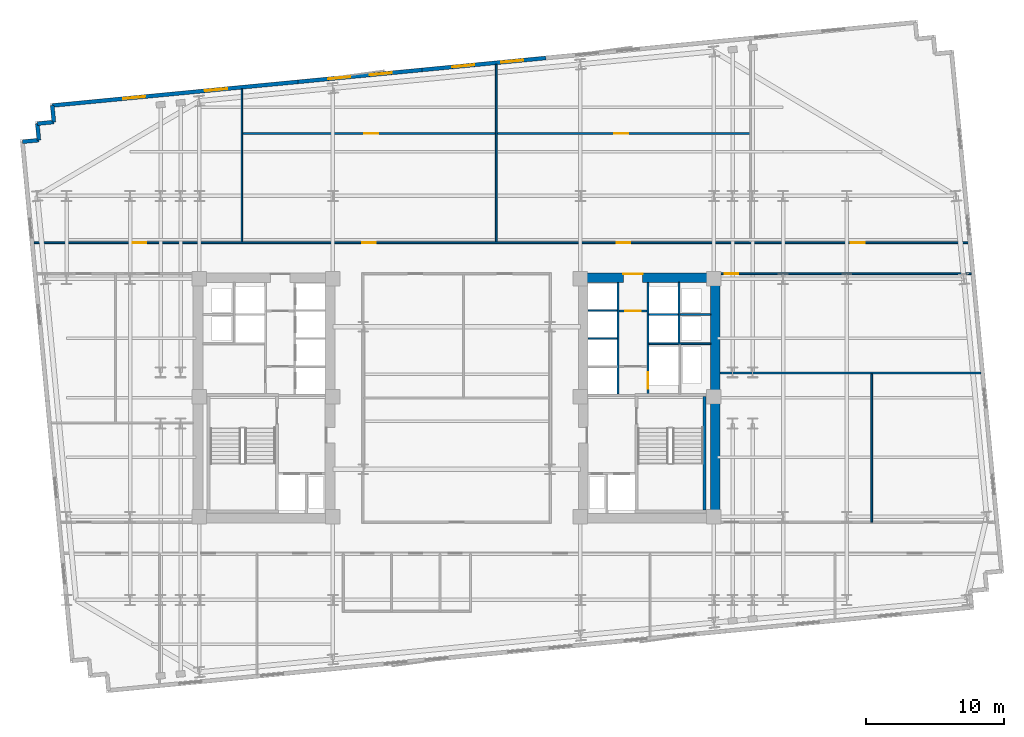
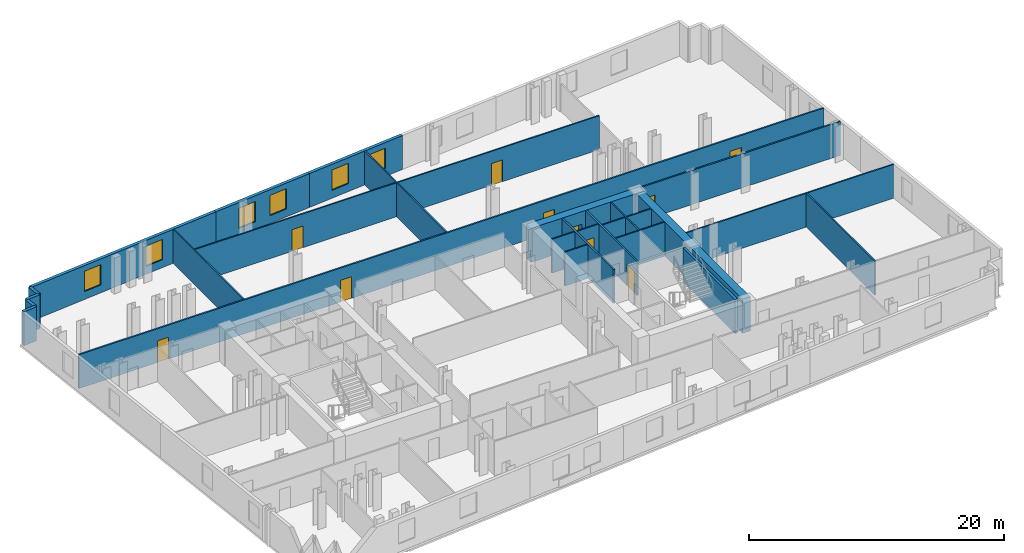
# One storey, part 7 of 10: 26 walls, 10 doors, 6 windows, 16 openings.
"""IFC4 building model written with IfcOpenShell, lengths in metres."""

from ifc_helpers import new_model, si_unit, direction, frame, frame_2d, origin, place, context, subcontext, project, spatial, rectangle, extrude, material, layer, layer_set, type_object, element, fill, save


model = new_model("IFC4")

# Units and contexts
model_context = context("Model", 3, precision=1e-05, world=origin(), true_north=direction((0.0, 1.0)))
body_context = subcontext(model_context, "Body", "Model", "MODEL_VIEW")
ifc_project = project(units=[si_unit("LENGTHUNIT", "METRE"), si_unit("AREAUNIT", "SQUARE_METRE"), si_unit("VOLUMEUNIT", "CUBIC_METRE"), si_unit("PLANEANGLEUNIT", "RADIAN"), si_unit("MASSUNIT", "GRAM", prefix="KILO")], contexts=[model_context])

# Site, building, storey
site_placement = place(None, origin())
site = spatial("IfcSite", under=ifc_project, at=site_placement, CompositionType="ELEMENT")
building_placement = place(site_placement, origin())
building = spatial("IfcBuilding", under=site, at=building_placement, Name="Velakula Bourse", CompositionType="ELEMENT")
storey_placement = place(building_placement, frame((0.0, 0.0, 94.89990234375)))
storey = spatial("IfcBuildingStorey", under=building, at=storey_placement, Name="L25", CompositionType="ELEMENT", Elevation=94.89990234375)

# Wall
ifc_material_1 = material(Name="Concrete M50 (fck 50 MPa)", Category="concrete")
ifc_layer_1 = layer(ifc_material_1, 0.2099609375, Name="Concrete M50 (fck 50 MPa)", Category="concrete")
ifc_layer_set_1 = layer_set([ifc_layer_1], Name="Concrete M50 (fck 50 MPa)")
wall_type_1 = type_object("IfcWallType", Name="WL-CORE-210", PredefinedType="SHEAR", material=ifc_layer_set_1)
wall_1_placement = place(storey_placement, frame((17.925048828125, -8.10009765625, 0.0), z_axis=(0.0, 0.0, 1.0), x_axis=(0.0, 1.0, 0.0)))
element("IfcWall", 1, at=wall_1_placement, inside=storey, type_object=wall_type_1, Name="L25 Core E Stairwell Shear Wall OUT", PredefinedType="SHEAR", context=body_context, shape_type="SweptSolid", body=[
    extrude(rectangle(XDim=8.2001953125, YDim=0.2099609375, at=frame_2d((4.10009765625, 0.0))), origin(), (0.0, 0.0, 1.0), 3.27001953125),
])

# Wall, opening, door
ifc_material_2 = material(Name="Concrete M70 (fck 70 MPa)", Category="concrete")
ifc_layer_2 = layer(ifc_material_2, 0.699951171875, Name="Concrete M70 (fck 70 MPa)", Category="concrete")
ifc_layer_set_2 = layer_set([ifc_layer_2], Name="Concrete M70 (fck 70 MPa)")
wall_type_2 = type_object("IfcWallType", Name="WL-CORE-700", PredefinedType="SHEAR", material=ifc_layer_set_2)
wall_2_placement = place(storey_placement, frame((8.800048828125, 8.699951171875, 0.0), z_axis=(0.0, 0.0, 1.0), x_axis=(1.0, 0.0, 0.0)))
wall_2 = element("IfcWall", 2, at=wall_2_placement, inside=storey, type_object=wall_type_2, Name="L25 Core E Shear Wall N", PredefinedType="SHEAR", context=body_context, shape_type="SweptSolid", body=[
    extrude(rectangle(XDim=10.25, YDim=0.699951171875, at=frame_2d((5.125, 0.0))), origin(), (0.0, 0.0, 1.0), 3.27001953125),
])
opening_1_placement = place(wall_2_placement, frame((3.25, 0.0, 0.0)))
opening_1 = element("IfcOpeningElement", 3, at=opening_1_placement, cuts=wall_2, Name="Opening D-LLE", PredefinedType="OPENING", context=body_context, shape_type="SweptSolid", body=[
    extrude(rectangle(XDim=1.39990234375, YDim=2.050048828125, at=frame_2d((0.699951171875, 1.02490234375))), frame((0.0, 0.35986328125, 0.0), z_axis=(0.0, -1.0, 0.0), x_axis=(1.0, 0.0, 0.0)), (0.0, 0.0, 1.0), 0.719970703125),
])
ifc_material_3 = material(Name="Fire-rated hardwood flush architectural door", Category="wood")
door_type_1 = type_object("IfcDoorType", Name="DR-DBL-FD60-1400", OperationType="DOUBLE_DOOR_SINGLE_SWING", PredefinedType="DOOR", material=ifc_material_3)
door_1_placement = place(opening_1_placement, origin())
door_1 = element("IfcDoor", 4, at=door_1_placement, inside=storey, type_object=door_type_1, Name="L25 Core E Lift Lobby Corridor Double Door", OperationType="DOUBLE_DOOR_SINGLE_SWING", OverallHeight=2.050048828125, OverallWidth=1.39990234375, PredefinedType="DOOR", context=body_context, shape_type="SweptSolid", body=[
    extrude(rectangle(XDim=1.39990234375, YDim=2.050048828125, at=frame_2d((0.699951171875, 1.02490234375))), frame((0.0, 0.294921875, 0.0), z_axis=(0.0, -1.0, 0.0), x_axis=(1.0, 0.0, 0.0)), (0.0, 0.0, 1.0), 0.050048828125),
])
fill(opening_1, door_1)

# Wall
wall_3_placement = place(storey_placement, frame((18.699951171875, -8.35009765625, 0.0), z_axis=(0.0, 0.0, 1.0), x_axis=(0.0, 1.0, 0.0)))
element("IfcWall", 5, at=wall_3_placement, inside=storey, type_object=wall_type_2, Name="L25 Core E Shear Wall E", PredefinedType="SHEAR", context=body_context, shape_type="SweptSolid", body=[
    extrude(rectangle(XDim=16.7001953125, YDim=0.699951171875, at=frame_2d((8.35009765625, 0.0))), origin(), (0.0, 0.0, 1.0), 3.27001953125),
])

# Wall, openings, windows
ifc_material_4 = material(Name="Red kilned clay facing brick masonry", Category="masonry")
ifc_layer_3 = layer(ifc_material_4, 0.280029296875, Name="Red kilned clay facing brick masonry", Category="masonry")
ifc_layer_set_3 = layer_set([ifc_layer_3], Name="Red kilned clay facing brick masonry")
wall_type_3 = type_object("IfcWallType", Name="WL-EXT-BRK-280", PredefinedType="STANDARD", material=ifc_layer_set_3)
wall_4_placement = place(storey_placement, frame((-29.2314453125, 21.138427734375, 0.0), z_axis=(0.0, 0.0, 1.0), x_axis=(0.995395780835, 0.095850088663, 0.0)))
wall_4 = element("IfcWall", 6, at=wall_4_placement, inside=storey, type_object=wall_type_3, Name="L25 N Brick Spandrel Wall B1", PredefinedType="STANDARD", context=body_context, shape_type="SweptSolid", body=[
    extrude(rectangle(XDim=17.83984375, YDim=0.280029296875, at=frame_2d((8.919921875, 0.0))), origin(), (0.0, 0.0, 1.0), 3.25),
])
opening_2_placement = place(wall_4_placement, frame((5.146728515625, 0.0, 0.760009765625)))
opening_2 = element("IfcOpeningElement", 7, at=opening_2_placement, cuts=wall_4, Name="Opening W-02", PredefinedType="OPENING", context=body_context, shape_type="SweptSolid", body=[
    extrude(rectangle(XDim=1.60009765625, YDim=1.949951171875, at=frame_2d((0.800048828125, 0.97509765625))), frame((0.0, 0.14990234375, 0.0), z_axis=(0.0, -1.0, 0.0), x_axis=(1.0, 0.0, 0.0)), (0.0, 0.0, 1.0), 0.300048828125),
])
opening_3_placement = place(wall_4_placement, frame((11.09326171875, 0.0, 0.760009765625)))
opening_3 = element("IfcOpeningElement", 8, at=opening_3_placement, cuts=wall_4, Name="Opening W-02", PredefinedType="OPENING", context=body_context, shape_type="SweptSolid", body=[
    extrude(rectangle(XDim=1.60009765625, YDim=1.949951171875, at=frame_2d((0.800048828125, 0.97509765625))), frame((0.0, 0.14990234375, 0.0), z_axis=(0.0, -1.0, 0.0), x_axis=(1.0, 0.0, 0.0)), (0.0, 0.0, 1.0), 0.300048828125),
])
ifc_material_5 = material(Name="Double-glazed solar-control Low-E glass", Category="glass")
window_type = type_object("IfcWindowType", Name="WIN-TWR-1600x2100", PartitioningType="SINGLE_PANEL", PredefinedType="WINDOW", material=ifc_material_5)
window_1_placement = place(opening_2_placement, origin())
window_1 = element("IfcWindow", 9, at=window_1_placement, inside=storey, type_object=window_type, Name="L25 Deep-Set Recessed Window 1", OverallHeight=1.949951171875, OverallWidth=1.60009765625, PartitioningType="SINGLE_PANEL", PredefinedType="WINDOW", context=body_context, shape_type="SweptSolid", body=[
    extrude(rectangle(XDim=1.60009765625, YDim=1.949951171875, at=frame_2d((0.800048828125, 0.97509765625))), frame((0.0, 0.030029296875, 0.0), z_axis=(0.0, -1.0, 0.0), x_axis=(1.0, 0.0, 0.0)), (0.0, 0.0, 1.0), 0.06005859375),
])
fill(opening_2, window_1)
window_2_placement = place(opening_3_placement, origin())
window_2 = element("IfcWindow", 10, at=window_2_placement, inside=storey, type_object=window_type, Name="L25 Deep-Set Recessed Window 2", OverallHeight=1.949951171875, OverallWidth=1.60009765625, PartitioningType="SINGLE_PANEL", PredefinedType="WINDOW", context=body_context, shape_type="SweptSolid", body=[
    extrude(rectangle(XDim=1.60009765625, YDim=1.949951171875, at=frame_2d((0.800048828125, 0.97509765625))), frame((0.0, 0.030029296875, 0.0), z_axis=(0.0, -1.0, 0.0), x_axis=(1.0, 0.0, 0.0)), (0.0, 0.0, 1.0), 0.06005859375),
])
fill(opening_3, window_2)

wall_5_placement = place(storey_placement, frame((-11.4736328125, 22.848388671875, 0.0), z_axis=(0.0, 0.0, 1.0), x_axis=(0.995396794462, 0.09583956164, 0.0)))
wall_5 = element("IfcWall", 11, at=wall_5_placement, inside=storey, type_object=wall_type_3, Name="L25 N Brick Spandrel Wall B2", PredefinedType="STANDARD", context=body_context, shape_type="SweptSolid", body=[
    extrude(rectangle(XDim=9.0, YDim=0.280029296875, at=frame_2d((4.5, 0.0))), origin(), (0.0, 0.0, 1.0), 3.25),
])
opening_4_placement = place(wall_5_placement, frame((2.199951171875, 0.0, 0.760009765625)))
opening_4 = element("IfcOpeningElement", 12, at=opening_4_placement, cuts=wall_5, Name="Opening W-02", PredefinedType="OPENING", context=body_context, shape_type="SweptSolid", body=[
    extrude(rectangle(XDim=1.60009765625, YDim=1.949951171875, at=frame_2d((0.800048828125, 0.97509765625))), frame((0.0, 0.14990234375, 0.0), z_axis=(0.0, -1.0, 0.0), x_axis=(1.0, 0.0, 0.0)), (0.0, 0.0, 1.0), 0.300048828125),
])
opening_5_placement = place(wall_5_placement, frame((5.199951171875, 0.0, 0.760009765625)))
opening_5 = element("IfcOpeningElement", 13, at=opening_5_placement, cuts=wall_5, Name="Opening W-02", PredefinedType="OPENING", context=body_context, shape_type="SweptSolid", body=[
    extrude(rectangle(XDim=1.60009765625, YDim=1.949951171875, at=frame_2d((0.800048828125, 0.97509765625))), frame((0.0, 0.14990234375, 0.0), z_axis=(0.0, -1.0, 0.0), x_axis=(1.0, 0.0, 0.0)), (0.0, 0.0, 1.0), 0.300048828125),
])
window_3_placement = place(opening_4_placement, origin())
window_3 = element("IfcWindow", 14, at=window_3_placement, inside=storey, type_object=window_type, Name="L25 Deep-Set Recessed Window 1", OverallHeight=1.949951171875, OverallWidth=1.60009765625, PartitioningType="SINGLE_PANEL", PredefinedType="WINDOW", context=body_context, shape_type="SweptSolid", body=[
    extrude(rectangle(XDim=1.60009765625, YDim=1.949951171875, at=frame_2d((0.800048828125, 0.97509765625))), frame((0.0, 0.030029296875, 0.0), z_axis=(0.0, -1.0, 0.0), x_axis=(1.0, 0.0, 0.0)), (0.0, 0.0, 1.0), 0.06005859375),
])
fill(opening_4, window_3)
window_4_placement = place(opening_5_placement, origin())
window_4 = element("IfcWindow", 15, at=window_4_placement, inside=storey, type_object=window_type, Name="L25 Deep-Set Recessed Window 2", OverallHeight=1.949951171875, OverallWidth=1.60009765625, PartitioningType="SINGLE_PANEL", PredefinedType="WINDOW", context=body_context, shape_type="SweptSolid", body=[
    extrude(rectangle(XDim=1.60009765625, YDim=1.949951171875, at=frame_2d((0.800048828125, 0.97509765625))), frame((0.0, 0.030029296875, 0.0), z_axis=(0.0, -1.0, 0.0), x_axis=(1.0, 0.0, 0.0)), (0.0, 0.0, 1.0), 0.06005859375),
])
fill(opening_5, window_4)

wall_6_placement = place(storey_placement, frame((-2.51513671875, 23.7109375, 0.0), z_axis=(0.0, 0.0, 1.0), x_axis=(0.995397043619, 0.095836973841, 0.0)))
wall_6 = element("IfcWall", 16, at=wall_6_placement, inside=storey, type_object=wall_type_3, Name="L25 N Brick Spandrel Wall B3", PredefinedType="STANDARD", context=body_context, shape_type="SweptSolid", body=[
    extrude(rectangle(XDim=9.000244140625, YDim=0.280029296875, at=frame_2d((4.5, 0.0))), origin(), (0.0, 0.0, 1.0), 3.25),
])
opening_6_placement = place(wall_6_placement, frame((2.199951171875, 0.0, 0.760009765625)))
opening_6 = element("IfcOpeningElement", 17, at=opening_6_placement, cuts=wall_6, Name="Opening W-02", PredefinedType="OPENING", context=body_context, shape_type="SweptSolid", body=[
    extrude(rectangle(XDim=1.60009765625, YDim=1.949951171875, at=frame_2d((0.800048828125, 0.97509765625))), frame((0.0, 0.14990234375, 0.0), z_axis=(0.0, -1.0, 0.0), x_axis=(1.0, 0.0, 0.0)), (0.0, 0.0, 1.0), 0.300048828125),
])
opening_7_placement = place(wall_6_placement, frame((5.75, 0.0, 0.760009765625)))
opening_7 = element("IfcOpeningElement", 18, at=opening_7_placement, cuts=wall_6, Name="Opening W-02", PredefinedType="OPENING", context=body_context, shape_type="SweptSolid", body=[
    extrude(rectangle(XDim=1.60009765625, YDim=1.949951171875, at=frame_2d((0.800048828125, 0.97509765625))), frame((0.0, 0.14990234375, 0.0), z_axis=(0.0, -1.0, 0.0), x_axis=(1.0, 0.0, 0.0)), (0.0, 0.0, 1.0), 0.300048828125),
])
window_5_placement = place(opening_6_placement, origin())
window_5 = element("IfcWindow", 19, at=window_5_placement, inside=storey, type_object=window_type, Name="L25 Deep-Set Recessed Window 1", OverallHeight=1.949951171875, OverallWidth=1.60009765625, PartitioningType="SINGLE_PANEL", PredefinedType="WINDOW", context=body_context, shape_type="SweptSolid", body=[
    extrude(rectangle(XDim=1.60009765625, YDim=1.949951171875, at=frame_2d((0.800048828125, 0.97509765625))), frame((0.0, 0.030029296875, 0.0), z_axis=(0.0, -1.0, 0.0), x_axis=(1.0, 0.0, 0.0)), (0.0, 0.0, 1.0), 0.06005859375),
])
fill(opening_6, window_5)
window_6_placement = place(opening_7_placement, origin())
window_6 = element("IfcWindow", 20, at=window_6_placement, inside=storey, type_object=window_type, Name="L25 Deep-Set Recessed Window 2", OverallHeight=1.949951171875, OverallWidth=1.60009765625, PartitioningType="SINGLE_PANEL", PredefinedType="WINDOW", context=body_context, shape_type="SweptSolid", body=[
    extrude(rectangle(XDim=1.60009765625, YDim=1.949951171875, at=frame_2d((0.800048828125, 0.97509765625))), frame((0.0, 0.030029296875, 0.0), z_axis=(0.0, -1.0, 0.0), x_axis=(1.0, 0.0, 0.0)), (0.0, 0.0, 1.0), 0.06005859375),
])
fill(opening_7, window_6)

# Walls
for number, where, z_axis, x_axis, name in (
    (21, (-29.2314453125, 21.138427734375, 0.0), (0.0, 0.0, 1.0), (0.095817067274, -0.995398960025, 0.0), "L25 Serrated Corner Brick Wall NW-1"),
    (22, (-29.116455078125, 19.94384765625, 0.0), (0.0, 0.0, 1.0), (-0.995398960025, -0.095817067274, 0.0), "L25 Serrated Corner Brick Wall NW-2"),
):
    element("IfcWall", number, at=place(storey_placement, frame(where, z_axis=z_axis, x_axis=x_axis)), inside=storey, type_object=wall_type_3, Name=name, PredefinedType="STANDARD", context=body_context, shape_type="SweptSolid", body=[
        extrude(rectangle(XDim=1.2001953125, YDim=0.280029296875, at=frame_2d((0.60009765625, 0.0))), origin(), (0.0, 0.0, 1.0), 3.25),
    ])
for number, where, z_axis, x_axis, name in (
    (23, (-30.31103515625, 19.828857421875, 0.0), (0.0, 0.0, 1.0), (0.095836473879, -0.995397091755, 0.0), "L25 Serrated Corner Brick Wall NW-3"),
    (24, (-30.196044921875, 18.634521484375, 0.0), (0.0, 0.0, 1.0), (-0.995397091755, -0.095836473879, 0.0), "L25 Serrated Corner Brick Wall NW-4"),
):
    element("IfcWall", number, at=place(storey_placement, frame(where, z_axis=z_axis, x_axis=x_axis)), inside=storey, type_object=wall_type_3, Name=name, PredefinedType="STANDARD", context=body_context, shape_type="SweptSolid", body=[
        extrude(rectangle(XDim=1.199951171875, YDim=0.280029296875, at=frame_2d((0.60009765625, 0.0))), origin(), (0.0, 0.0, 1.0), 3.25),
    ])

# Wall, opening, door
ifc_material_6 = material(Name="Fire-rated double-layer gypsum drywall partition", Category="gypsum")
ifc_layer_4 = layer(ifc_material_6, 0.1201171875, Name="Fire-rated double-layer gypsum drywall partition", Category="gypsum")
ifc_layer_set_4 = layer_set([ifc_layer_4], Name="Fire-rated double-layer gypsum drywall partition")
wall_type_4 = type_object("IfcWallType", Name="WL-PART-120", PredefinedType="STANDARD", material=ifc_layer_set_4)
wall_7_placement = place(storey_placement, frame((11.75, 6.280029296875, 0.0), z_axis=(0.0, 0.0, 1.0), x_axis=(1.0, 0.0, 0.0)))
wall_7 = element("IfcWall", 25, at=wall_7_placement, inside=storey, type_object=wall_type_4, Name="L25 Interior Partition WL-CRE-L25-LL-K3B", PredefinedType="STANDARD", context=body_context, shape_type="SweptSolid", body=[
    extrude(rectangle(XDim=2.0, YDim=0.1201171875, at=frame_2d((1.0, 0.0))), origin(), (0.0, 0.0, 1.0), 3.25),
])
opening_8_placement = place(wall_7_placement, frame((0.449951171875, 0.0, 0.0)))
opening_8 = element("IfcOpeningElement", 26, at=opening_8_placement, cuts=wall_7, Name="Opening D-LK3", PredefinedType="OPENING", context=body_context, shape_type="SweptSolid", body=[
    extrude(rectangle(XDim=1.10009765625, YDim=2.10009765625, at=frame_2d((0.550048828125, 1.050048828125))), frame((0.0, 0.070068359375, 0.0), z_axis=(0.0, -1.0, 0.0), x_axis=(1.0, 0.0, 0.0)), (0.0, 0.0, 1.0), 0.14013671875),
])
door_type_2 = type_object("IfcDoorType", Name="DR-FD60-1100x2100", OperationType="NOTDEFINED", PredefinedType="DOOR", material=ifc_material_3)
door_2_placement = place(opening_8_placement, origin())
door_2 = element("IfcDoor", 27, at=door_2_placement, inside=storey, type_object=door_type_2, Name="L25 Core E Lift Lobby Vestibule Door B", OperationType="SINGLE_SWING_RIGHT", OverallHeight=2.10009765625, OverallWidth=1.10009765625, PredefinedType="DOOR", context=body_context, shape_type="SweptSolid", body=[
    extrude(rectangle(XDim=1.10009765625, YDim=2.10009765625, at=frame_2d((0.550048828125, 1.050048828125))), frame((0.0, 0.02490234375, 0.0), z_axis=(0.0, -1.0, 0.0), x_axis=(1.0, 0.0, 0.0)), (0.0, 0.0, 1.0), 0.050048828125),
])
fill(opening_8, door_2)

# Walls
for number, where, z_axis, x_axis, name in (
    (28, (9.5, 4.284912109375, 0.0), (0.0, 0.0, 1.0), (1.0, 0.0, 0.0), "L25 Interior Partition WL-CRE-L25-BDIV-1"),
    (29, (9.5, 6.31494140625, 0.0), (0.0, 0.0, 1.0), (1.0, 0.0, 0.0), "L25 Interior Partition WL-CRE-L25-BDIV-2"),
):
    element("IfcWall", number, at=place(storey_placement, frame(where, z_axis=z_axis, x_axis=x_axis)), inside=storey, type_object=wall_type_4, Name=name, PredefinedType="STANDARD", context=body_context, shape_type="SweptSolid", body=[
        extrude(rectangle(XDim=2.10009765625, YDim=0.110107421875, at=frame_2d((1.050048828125, 0.0))), origin(), (0.0, 0.0, 1.0), 3.25),
    ])
wall_8_placement = place(storey_placement, frame((13.89990234375, 3.919921875, 0.0), z_axis=(0.0, 0.0, 1.0), x_axis=(1.0, 0.0, 0.0)))
element("IfcWall", 30, at=wall_8_placement, inside=storey, type_object=wall_type_4, Name="L25 Interior Partition WL-CRE-L25-HI-S", PredefinedType="STANDARD", context=body_context, shape_type="SweptSolid", body=[
    extrude(rectangle(XDim=4.4501953125, YDim=0.1201171875, at=frame_2d((2.22509765625, 0.0))), origin(), (0.0, 0.0, 1.0), 3.25),
])
wall_9_placement = place(storey_placement, frame((16.14990234375, 6.030029296875, 0.0), z_axis=(0.0, 0.0, 1.0), x_axis=(1.0, 0.0, 0.0)))
element("IfcWall", 31, at=wall_9_placement, inside=storey, type_object=wall_type_4, Name="L25 Interior Partition WL-CRE-L25-RIS-MID", PredefinedType="STANDARD", context=body_context, shape_type="SweptSolid", body=[
    extrude(rectangle(XDim=2.2001953125, YDim=0.1201171875, at=frame_2d((1.10009765625, 0.0))), origin(), (0.0, 0.0, 1.0), 3.25),
])
wall_10_placement = place(storey_placement, frame((16.074951171875, 3.97998046875, 0.0), z_axis=(0.0, 0.0, 1.0), x_axis=(0.0, 1.0, 0.0)))
element("IfcWall", 32, at=wall_10_placement, inside=storey, type_object=wall_type_4, Name="L25 Interior Partition WL-CRE-L25-RIS-F", PredefinedType="STANDARD", context=body_context, shape_type="SweptSolid", body=[
    extrude(rectangle(XDim=4.3701171875, YDim=0.1201171875, at=frame_2d((2.18505859375, 0.0))), origin(), (0.0, 0.0, 1.0), 3.25),
])
wall_11_placement = place(storey_placement, frame((13.89990234375, 6.030029296875, 0.0), z_axis=(0.0, 0.0, 1.0), x_axis=(1.0, 0.0, 0.0)))
element("IfcWall", 33, at=wall_11_placement, inside=storey, type_object=wall_type_4, Name="L25 Interior Partition WL-CRE-L25-HI-DIV", PredefinedType="STANDARD", context=body_context, shape_type="SweptSolid", body=[
    extrude(rectangle(XDim=2.10009765625, YDim=0.1201171875, at=frame_2d((1.050048828125, 0.0))), origin(), (0.0, 0.0, 1.0), 3.25),
])
wall_12_placement = place(storey_placement, frame((-15.528076171875, 11.2900390625, 0.0), z_axis=(0.0, 0.0, 1.0), x_axis=(0.0, 1.0, 0.0)))
element("IfcWall", 34, at=wall_12_placement, inside=storey, type_object=wall_type_4, Name="L25 Interior Partition WL-INT-L25-N-D1", PredefinedType="STANDARD", context=body_context, shape_type="SweptSolid", body=[
    extrude(rectangle(XDim=11.04736328125, YDim=0.1201171875, at=frame_2d((5.523681640625, 0.0))), origin(), (0.0, 0.0, 1.0), 3.25),
])
wall_13_placement = place(storey_placement, frame((2.862060546875, 11.2900390625, 0.0), z_axis=(0.0, 0.0, 1.0), x_axis=(0.0, 1.0, 0.0)))
element("IfcWall", 35, at=wall_13_placement, inside=storey, type_object=wall_type_4, Name="L25 Interior Partition WL-INT-L25-N-D2", PredefinedType="STANDARD", context=body_context, shape_type="SweptSolid", body=[
    extrude(rectangle(XDim=12.818115234375, YDim=0.1201171875, at=frame_2d((6.4091796875, 0.0))), origin(), (0.0, 0.0, 1.0), 3.25),
])

# Wall, openings, doors
wall_14_placement = place(storey_placement, frame((-15.468017578125, 19.1201171875, 0.0), z_axis=(0.0, 0.0, 1.0), x_axis=(1.0, 0.0, 0.0)))
wall_14 = element("IfcWall", 36, at=wall_14_placement, inside=storey, type_object=wall_type_4, Name="L25 Interior Partition WL-INT-L25-N-MID", PredefinedType="STANDARD", context=body_context, shape_type="SweptSolid", body=[
    extrude(rectangle(XDim=36.658935546875, YDim=0.1201171875, at=frame_2d((18.32958984375, 0.0))), origin(), (0.0, 0.0, 1.0), 3.25),
])
opening_9_placement = place(wall_14_placement, frame((8.7919921875, 0.0, 0.0)))
opening_9 = element("IfcOpeningElement", 37, at=opening_9_placement, cuts=wall_14, Name="Opening D-OF1", PredefinedType="OPENING", context=body_context, shape_type="SweptSolid", body=[
    extrude(rectangle(XDim=1.0, YDim=2.080078125, at=frame_2d((0.5, 1.0400390625))), frame((0.0, 0.070068359375, 0.0), z_axis=(0.0, -1.0, 0.0), x_axis=(1.0, 0.0, 0.0)), (0.0, 0.0, 1.0), 0.14013671875),
])
opening_10_placement = place(wall_14_placement, frame((26.867431640625, 0.0, 0.0)))
opening_10 = element("IfcOpeningElement", 38, at=opening_10_placement, cuts=wall_14, Name="Opening D-OF1", PredefinedType="OPENING", context=body_context, shape_type="SweptSolid", body=[
    extrude(rectangle(XDim=1.0, YDim=2.080078125, at=frame_2d((0.5, 1.0400390625))), frame((0.0, 0.070068359375, 0.0), z_axis=(0.0, -1.0, 0.0), x_axis=(1.0, 0.0, 0.0)), (0.0, 0.0, 1.0), 0.14013671875),
])
door_type_3 = type_object("IfcDoorType", Name="DR-OFF-1000", OperationType="NOTDEFINED", PredefinedType="DOOR", material=ifc_material_3)
door_3_placement = place(opening_9_placement, origin())
door_3 = element("IfcDoor", 39, at=door_3_placement, inside=storey, type_object=door_type_3, Name="L25 Yield Curve Seminar Room Door", OperationType="SINGLE_SWING_LEFT", OverallHeight=2.080078125, OverallWidth=1.0, PredefinedType="DOOR", context=body_context, shape_type="SweptSolid", body=[
    extrude(rectangle(XDim=1.0, YDim=2.080078125, at=frame_2d((0.5, 1.0400390625))), frame((0.0, 0.02490234375, 0.0), z_axis=(0.0, -1.0, 0.0), x_axis=(1.0, 0.0, 0.0)), (0.0, 0.0, 1.0), 0.050048828125),
])
fill(opening_9, door_3)
door_4_placement = place(opening_10_placement, origin())
door_4 = element("IfcDoor", 40, at=door_4_placement, inside=storey, type_object=door_type_3, Name="L25 Traders Pantry Door", OperationType="SINGLE_SWING_LEFT", OverallHeight=2.080078125, OverallWidth=1.0, PredefinedType="DOOR", context=body_context, shape_type="SweptSolid", body=[
    extrude(rectangle(XDim=1.0, YDim=2.080078125, at=frame_2d((0.5, 1.0400390625))), frame((0.0, 0.02490234375, 0.0), z_axis=(0.0, -1.0, 0.0), x_axis=(1.0, 0.0, 0.0)), (0.0, 0.0, 1.0), 0.050048828125),
])
fill(opening_10, door_4)

# Walls
wall_15_placement = place(storey_placement, frame((19.050048828125, 1.800048828125, 0.0), z_axis=(0.0, 0.0, 1.0), x_axis=(1.0, 0.0, 0.0)))
element("IfcWall", 41, at=wall_15_placement, inside=storey, type_object=wall_type_4, Name="L25 Interior Partition WL-INT-L25-E-H", PredefinedType="STANDARD", context=body_context, shape_type="SweptSolid", body=[
    extrude(rectangle(XDim=18.841064453125, YDim=0.1201171875, at=frame_2d((9.42041015625, 0.0))), origin(), (0.0, 0.0, 1.0), 3.25),
])
wall_16_placement = place(storey_placement, frame((30.009033203125, -8.97998046875, 0.0), z_axis=(0.0, 0.0, 1.0), x_axis=(0.0, 1.0, 0.0)))
element("IfcWall", 42, at=wall_16_placement, inside=storey, type_object=wall_type_4, Name="L25 Interior Partition WL-INT-L25-E-VS", PredefinedType="STANDARD", context=body_context, shape_type="SweptSolid", body=[
    extrude(rectangle(XDim=10.719970703125, YDim=0.1201171875, at=frame_2d((5.35986328125, 0.0))), origin(), (0.0, 0.0, 1.0), 3.25),
])

# Wall, openings, doors
ifc_layer_5 = layer(ifc_material_6, 0.139892578125, Name="Fire-rated double-layer gypsum drywall partition", Category="gypsum")
ifc_layer_set_5 = layer_set([ifc_layer_5], Name="Fire-rated double-layer gypsum drywall partition")
wall_type_5 = type_object("IfcWallType", Name="WL-PART-140", PredefinedType="STANDARD", material=ifc_layer_set_5)
wall_17_placement = place(storey_placement, frame((-30.56689453125, 11.219970703125, 0.0), z_axis=(0.0, 0.0, 1.0), x_axis=(1.0, 0.0, 0.0)))
wall_17 = element("IfcWall", 43, at=wall_17_placement, inside=storey, type_object=wall_type_5, Name="L25 Interior Partition WL-INT-L25-N-CORR", PredefinedType="STANDARD", context=body_context, shape_type="SweptSolid", body=[
    extrude(rectangle(XDim=67.55078125, YDim=0.139892578125, at=frame_2d((33.775390625, 0.0))), origin(), (0.0, 0.0, 1.0), 3.25),
])
opening_11_placement = place(wall_17_placement, frame((7.1455078125, 0.0, 0.0)))
opening_11 = element("IfcOpeningElement", 44, at=opening_11_placement, cuts=wall_17, Name="Opening D-OF1", PredefinedType="OPENING", context=body_context, shape_type="SweptSolid", body=[
    extrude(rectangle(XDim=1.0, YDim=2.080078125, at=frame_2d((0.5, 1.0400390625))), frame((0.0, 0.079833984375, 0.0), z_axis=(0.0, -1.0, 0.0), x_axis=(1.0, 0.0, 0.0)), (0.0, 0.0, 1.0), 0.159912109375),
])
opening_12_placement = place(wall_17_placement, frame((23.73388671875, 0.0, 0.0)))
opening_12 = element("IfcOpeningElement", 45, at=opening_12_placement, cuts=wall_17, Name="Opening D-OF1", PredefinedType="OPENING", context=body_context, shape_type="SweptSolid", body=[
    extrude(rectangle(XDim=1.0, YDim=2.080078125, at=frame_2d((0.5, 1.0400390625))), frame((0.0, 0.079833984375, 0.0), z_axis=(0.0, -1.0, 0.0), x_axis=(1.0, 0.0, 0.0)), (0.0, 0.0, 1.0), 0.159912109375),
])
opening_13_placement = place(wall_17_placement, frame((42.12353515625, 0.0, 0.0)))
opening_13 = element("IfcOpeningElement", 46, at=opening_13_placement, cuts=wall_17, Name="Opening D-OF1", PredefinedType="OPENING", context=body_context, shape_type="SweptSolid", body=[
    extrude(rectangle(XDim=1.0, YDim=2.080078125, at=frame_2d((0.5, 1.0400390625))), frame((0.0, 0.079833984375, 0.0), z_axis=(0.0, -1.0, 0.0), x_axis=(1.0, 0.0, 0.0)), (0.0, 0.0, 1.0), 0.159912109375),
])
opening_14_placement = place(wall_17_placement, frame((59.05859375, 0.0, 0.0)))
opening_14 = element("IfcOpeningElement", 47, at=opening_14_placement, cuts=wall_17, Name="Opening D-OF1", PredefinedType="OPENING", context=body_context, shape_type="SweptSolid", body=[
    extrude(rectangle(XDim=1.0, YDim=2.080078125, at=frame_2d((0.5, 1.0400390625))), frame((0.0, 0.079833984375, 0.0), z_axis=(0.0, -1.0, 0.0), x_axis=(1.0, 0.0, 0.0)), (0.0, 0.0, 1.0), 0.159912109375),
])
door_5_placement = place(opening_11_placement, origin())
door_5 = element("IfcDoor", 48, at=door_5_placement, inside=storey, type_object=door_type_3, Name="L25 Cybersecurity Operations Workspace Door", OperationType="SINGLE_SWING_LEFT", OverallHeight=2.080078125, OverallWidth=1.0, PredefinedType="DOOR", context=body_context, shape_type="SweptSolid", body=[
    extrude(rectangle(XDim=1.0, YDim=2.080078125, at=frame_2d((0.5, 1.0400390625))), frame((0.0, 0.02490234375, 0.0), z_axis=(0.0, -1.0, 0.0), x_axis=(1.0, 0.0, 0.0)), (0.0, 0.0, 1.0), 0.050048828125),
])
fill(opening_11, door_5)
door_6_placement = place(opening_12_placement, origin())
door_6 = element("IfcDoor", 49, at=door_6_placement, inside=storey, type_object=door_type_3, Name="L25 Yield Curve Seminar Room Door", OperationType="SINGLE_SWING_RIGHT", OverallHeight=2.080078125, OverallWidth=1.0, PredefinedType="DOOR", context=body_context, shape_type="SweptSolid", body=[
    extrude(rectangle(XDim=1.0, YDim=2.080078125, at=frame_2d((0.5, 1.0400390625))), frame((0.0, 0.02490234375, 0.0), z_axis=(0.0, -1.0, 0.0), x_axis=(1.0, 0.0, 0.0)), (0.0, 0.0, 1.0), 0.050048828125),
])
fill(opening_12, door_6)
door_7_placement = place(opening_13_placement, origin())
door_7 = element("IfcDoor", 50, at=door_7_placement, inside=storey, type_object=door_type_3, Name="L25 Arbitration Conference Room Door", OperationType="SINGLE_SWING_RIGHT", OverallHeight=2.080078125, OverallWidth=1.0, PredefinedType="DOOR", context=body_context, shape_type="SweptSolid", body=[
    extrude(rectangle(XDim=1.0, YDim=2.080078125, at=frame_2d((0.5, 1.0400390625))), frame((0.0, 0.02490234375, 0.0), z_axis=(0.0, -1.0, 0.0), x_axis=(1.0, 0.0, 0.0)), (0.0, 0.0, 1.0), 0.050048828125),
])
fill(opening_13, door_7)
door_8_placement = place(opening_14_placement, origin())
door_8 = element("IfcDoor", 51, at=door_8_placement, inside=storey, type_object=door_type_3, Name="L25 Members Dining Lounge Door", OperationType="SINGLE_SWING_RIGHT", OverallHeight=2.080078125, OverallWidth=1.0, PredefinedType="DOOR", context=body_context, shape_type="SweptSolid", body=[
    extrude(rectangle(XDim=1.0, YDim=2.080078125, at=frame_2d((0.5, 1.0400390625))), frame((0.0, 0.02490234375, 0.0), z_axis=(0.0, -1.0, 0.0), x_axis=(1.0, 0.0, 0.0)), (0.0, 0.0, 1.0), 0.050048828125),
])
fill(opening_14, door_8)

# Wall, opening, door
wall_18_placement = place(storey_placement, frame((19.050048828125, 8.97998046875, 0.0), z_axis=(0.0, 0.0, 1.0), x_axis=(1.0, 0.0, 0.0)))
wall_18 = element("IfcWall", 52, at=wall_18_placement, inside=storey, type_object=wall_type_5, Name="L25 Interior Partition WL-INT-L25-E-NC", PredefinedType="STANDARD", context=body_context, shape_type="SweptSolid", body=[
    extrude(rectangle(XDim=18.149658203125, YDim=0.139892578125, at=frame_2d((9.07470703125, 0.0))), origin(), (0.0, 0.0, 1.0), 3.25),
])
opening_15_placement = place(wall_18_placement, frame((0.320068359375, 0.0, 0.0)))
opening_15 = element("IfcOpeningElement", 53, at=opening_15_placement, cuts=wall_18, Name="Opening D-OF1", PredefinedType="OPENING", context=body_context, shape_type="SweptSolid", body=[
    extrude(rectangle(XDim=1.0, YDim=2.080078125, at=frame_2d((0.5, 1.0400390625))), frame((0.0, 0.079833984375, 0.0), z_axis=(0.0, -1.0, 0.0), x_axis=(1.0, 0.0, 0.0)), (0.0, 0.0, 1.0), 0.159912109375),
])
door_9_placement = place(opening_15_placement, origin())
door_9 = element("IfcDoor", 54, at=door_9_placement, inside=storey, type_object=door_type_3, Name="L25 Compliance Review Office Door", OperationType="SINGLE_SWING_LEFT", OverallHeight=2.080078125, OverallWidth=1.0, PredefinedType="DOOR", context=body_context, shape_type="SweptSolid", body=[
    extrude(rectangle(XDim=1.0, YDim=2.080078125, at=frame_2d((0.5, 1.0400390625))), frame((0.0, 0.02490234375, 0.0), z_axis=(0.0, -1.0, 0.0), x_axis=(1.0, 0.0, 0.0)), (0.0, 0.0, 1.0), 0.050048828125),
])
fill(opening_15, door_9)

# Wall
ifc_material_7 = material(Name="Autoclaved aerated concrete blockwork masonry", Category="masonry")
ifc_layer_6 = layer(ifc_material_7, 0.14990234375, Name="Autoclaved aerated concrete blockwork masonry", Category="masonry")
ifc_layer_set_6 = layer_set([ifc_layer_6], Name="Autoclaved aerated concrete blockwork masonry")
wall_type_6 = type_object("IfcWallType", Name="WL-SHAFT-150", PredefinedType="STANDARD", material=ifc_layer_set_6)
wall_19_placement = place(storey_placement, frame((11.675048828125, 0.27001953125, 0.0), z_axis=(0.0, 0.0, 1.0), x_axis=(0.0, 1.0, 0.0)))
element("IfcWall", 55, at=wall_19_placement, inside=storey, type_object=wall_type_6, Name="L25 Interior Partition WL-CRE-L25-BANK-F", PredefinedType="STANDARD", context=body_context, shape_type="SweptSolid", body=[
    extrude(rectangle(XDim=8.080078125, YDim=0.14990234375, at=frame_2d((4.0400390625, 0.0))), origin(), (0.0, 0.0, 1.0), 3.25),
])

# Wall, opening, door
wall_20_placement = place(storey_placement, frame((13.824951171875, 0.27001953125, 0.0), z_axis=(0.0, 0.0, 1.0), x_axis=(0.0, 1.0, 0.0)))
wall_20 = element("IfcWall", 56, at=wall_20_placement, inside=storey, type_object=wall_type_6, Name="L25 Interior Partition WL-CRE-L25-OUT-F", PredefinedType="STANDARD", context=body_context, shape_type="SweptSolid", body=[
    extrude(rectangle(XDim=8.080078125, YDim=0.14990234375, at=frame_2d((4.0400390625, 0.0))), origin(), (0.0, 0.0, 1.0), 3.25),
])
opening_16_placement = place(wall_20_placement, frame((0.3798828125, 0.0, 0.0)))
opening_16 = element("IfcOpeningElement", 57, at=opening_16_placement, cuts=wall_20, Name="Opening LD-SVL1", PredefinedType="OPENING", context=body_context, shape_type="SweptSolid", body=[
    extrude(rectangle(XDim=1.199951171875, YDim=2.10009765625, at=frame_2d((0.60009765625, 1.050048828125))), frame((0.0, 0.0849609375, 0.0), z_axis=(0.0, -1.0, 0.0), x_axis=(1.0, 0.0, 0.0)), (0.0, 0.0, 1.0), 0.169921875),
])
ifc_material_8 = material(Name="Brushed grade 316 stainless steel", Category="steel")
door_type_4 = type_object("IfcDoorType", Name="DR-SLIDE-LD-1200", OperationType="DOUBLE_DOOR_SLIDING", PredefinedType="DOOR", material=ifc_material_8)
door_10_placement = place(opening_16_placement, origin())
door_10 = element("IfcDoor", 58, at=door_10_placement, inside=storey, type_object=door_type_4, Name="L25 Service Lift SVL-1 Sliding Landing Door", OperationType="DOUBLE_DOOR_SLIDING", OverallHeight=2.10009765625, OverallWidth=1.199951171875, PredefinedType="DOOR", context=body_context, shape_type="SweptSolid", body=[
    extrude(rectangle(XDim=1.199951171875, YDim=2.10009765625, at=frame_2d((0.60009765625, 1.050048828125))), frame((0.0, 0.02490234375, 0.0), z_axis=(0.0, -1.0, 0.0), x_axis=(1.0, 0.0, 0.0)), (0.0, 0.0, 1.0), 0.050048828125),
])
fill(opening_16, door_10)

save(model, "model.ifc")
